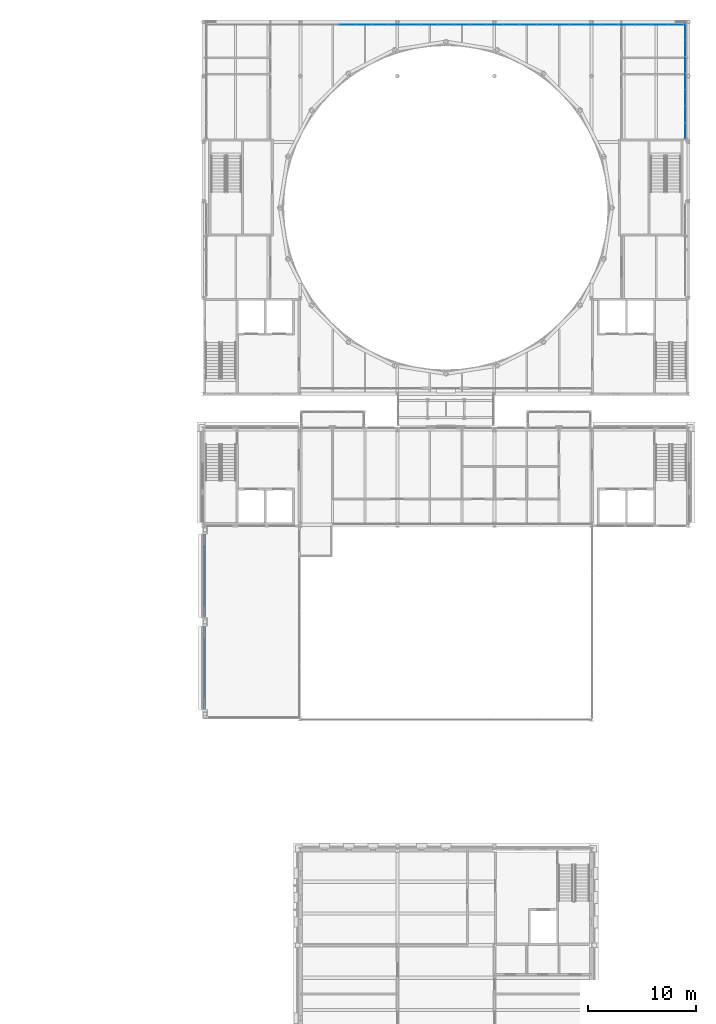
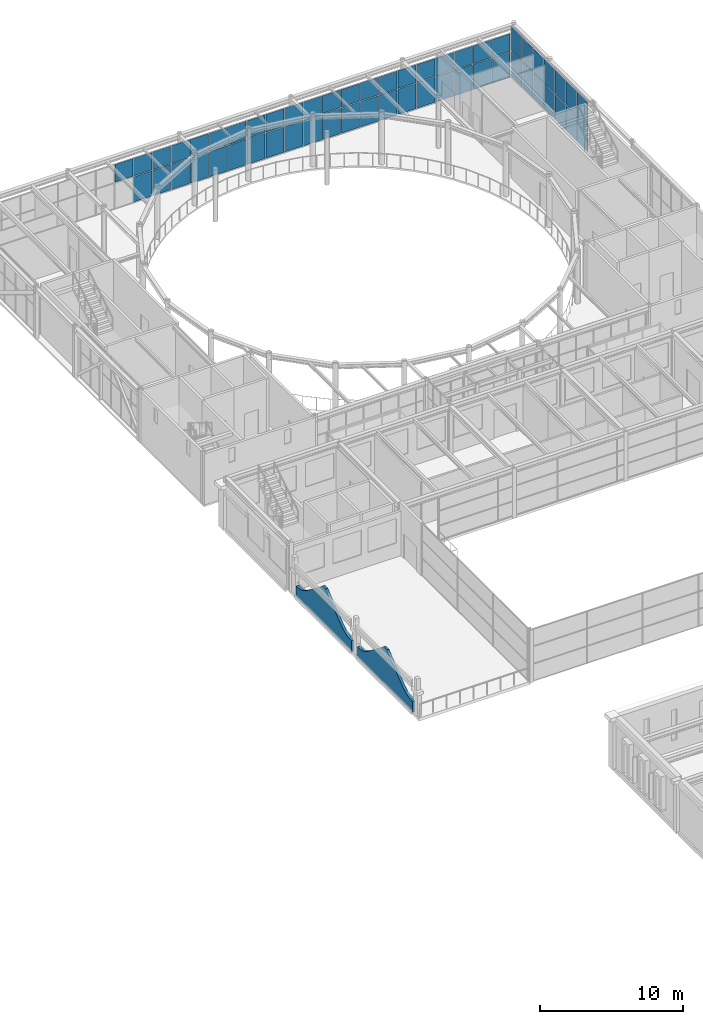
# One storey, part 48 of 70: 55 plates, 2 walls, 2 elements without a shape of their own.
"""IFC4 building model written with IfcOpenShell, lengths in metres."""

from ifc_helpers import new_model, si_unit, direction, frame, origin, origin_2d, place, context, subcontext, project, spatial, polyline, rectangle, outline, extrude, material, layer, layer_set, type_object, element, aggregate, save


model = new_model("IFC4")

# Units and contexts
model_context = context("Model", 3, precision=1e-05, world=origin(), true_north=direction((0.0, 1.0)))
body_context = subcontext(model_context, "Body", "Model", "MODEL_VIEW")
ifc_project = project(units=[si_unit("LENGTHUNIT", "METRE"), si_unit("AREAUNIT", "SQUARE_METRE"), si_unit("VOLUMEUNIT", "CUBIC_METRE"), si_unit("PLANEANGLEUNIT", "RADIAN"), si_unit("MASSUNIT", "GRAM", prefix="KILO")], contexts=[model_context])

# Site, building, storey
site_placement = place(None, origin())
site = spatial("IfcSite", under=ifc_project, at=site_placement, CompositionType="ELEMENT")
building_placement = place(site_placement, origin())
building = spatial("IfcBuilding", under=site, at=building_placement, Name="Kallimachos Central Library", CompositionType="ELEMENT")
storey_placement = place(building_placement, frame((0.0, 0.0, 18.89990234375)))
storey = spatial("IfcBuildingStorey", under=building, at=storey_placement, Name="L04", CompositionType="ELEMENT", Elevation=18.89990234375)

# Curtain wall, plates
ifc_material_1 = material(Name="Anodised aluminium and laminated glass", Category="aluminium")
ifc_layer_1 = layer(ifc_material_1, 0.159912109375)
ifc_layer_set_1 = layer_set([ifc_layer_1], Name="Glass box curtain wall")
curtain_wall_type = type_object("IfcCurtainWallType", Name="Glass box curtain wall", PredefinedType="NOTDEFINED", material=ifc_layer_set_1)
curtain_wall_1_placement = place(storey_placement, origin())
curtain_wall_1 = element("IfcCurtainWall", 1, at=curtain_wall_1_placement, inside=storey, type_object=curtain_wall_type, Name="Glass box curtain wall E L04", PredefinedType="NOTDEFINED")
ifc_material_2 = material(Name="Laminated glass", Category="glass")
ifc_layer_2 = layer(ifc_material_2, 0.028076171875)
ifc_layer_set_2 = layer_set([ifc_layer_2], Name="Laminated glass panel 28")
plate_type = type_object("IfcPlateType", Name="Laminated glass panel 28", PredefinedType="CURTAIN_PANEL", material=ifc_layer_set_2)
plate_1_placement = place(storey_placement, frame((110.199951171875, 111.532958984375, 0.06005859375), z_axis=(0.0, 0.0, 1.0), x_axis=(0.0, 1.0, 0.0)))
plate_1 = element("IfcPlate", 2, at=plate_1_placement, type_object=plate_type, Name="CW33 panel 1.1", PredefinedType="CURTAIN_PANEL", context=body_context, shape_type="SweptSolid", body=[
    extrude(rectangle(XDim=1.44580078125, YDim=0.028076171875, at=origin_2d()), origin(), (0.0, 0.0, 1.0), 2.159912109375),
])
plate_2_placement = place(storey_placement, frame((110.199951171875, 111.532958984375, 2.2802734375), z_axis=(0.0, 0.0, 1.0), x_axis=(0.0, 1.0, 0.0)))
plate_2 = element("IfcPlate", 3, at=plate_2_placement, type_object=plate_type, Name="CW33 panel 1.2", PredefinedType="CURTAIN_PANEL", context=body_context, shape_type="SweptSolid", body=[
    extrude(rectangle(XDim=1.44580078125, YDim=0.028076171875, at=origin_2d()), origin(), (0.0, 0.0, 1.0), 2.010009765625),
])
plate_3_placement = place(storey_placement, frame((110.199951171875, 113.053466796875, 0.06005859375), z_axis=(0.0, 0.0, 1.0), x_axis=(0.0, 1.0, 0.0)))
plate_3 = element("IfcPlate", 4, at=plate_3_placement, type_object=plate_type, Name="CW33 panel 2.1", PredefinedType="CURTAIN_PANEL", context=body_context, shape_type="SweptSolid", body=[
    extrude(rectangle(XDim=1.475830078125, YDim=0.028076171875, at=origin_2d()), origin(), (0.0, 0.0, 1.0), 2.159912109375),
])
plate_4_placement = place(storey_placement, frame((110.199951171875, 113.053466796875, 2.2802734375), z_axis=(0.0, 0.0, 1.0), x_axis=(0.0, 1.0, 0.0)))
plate_4 = element("IfcPlate", 5, at=plate_4_placement, type_object=plate_type, Name="CW33 panel 2.2", PredefinedType="CURTAIN_PANEL", context=body_context, shape_type="SweptSolid", body=[
    extrude(rectangle(XDim=1.475830078125, YDim=0.028076171875, at=origin_2d()), origin(), (0.0, 0.0, 1.0), 2.010009765625),
])
plate_5_placement = place(storey_placement, frame((110.199951171875, 114.58935546875, 0.06005859375), z_axis=(0.0, 0.0, 1.0), x_axis=(0.0, 1.0, 0.0)))
plate_5 = element("IfcPlate", 6, at=plate_5_placement, type_object=plate_type, Name="CW33 panel 3.1", PredefinedType="CURTAIN_PANEL", context=body_context, shape_type="SweptSolid", body=[
    extrude(rectangle(XDim=1.475830078125, YDim=0.028076171875, at=origin_2d()), origin(), (0.0, 0.0, 1.0), 2.159912109375),
])
plate_6_placement = place(storey_placement, frame((110.199951171875, 114.58935546875, 2.2802734375), z_axis=(0.0, 0.0, 1.0), x_axis=(0.0, 1.0, 0.0)))
plate_6 = element("IfcPlate", 7, at=plate_6_placement, type_object=plate_type, Name="CW33 panel 3.2", PredefinedType="CURTAIN_PANEL", context=body_context, shape_type="SweptSolid", body=[
    extrude(rectangle(XDim=1.475830078125, YDim=0.028076171875, at=origin_2d()), origin(), (0.0, 0.0, 1.0), 2.010009765625),
])
plate_7_placement = place(storey_placement, frame((110.199951171875, 116.125, 0.06005859375), z_axis=(0.0, 0.0, 1.0), x_axis=(0.0, 1.0, 0.0)))
plate_7 = element("IfcPlate", 8, at=plate_7_placement, type_object=plate_type, Name="CW33 panel 4.1", PredefinedType="CURTAIN_PANEL", context=body_context, shape_type="SweptSolid", body=[
    extrude(rectangle(XDim=1.475830078125, YDim=0.028076171875, at=origin_2d()), origin(), (0.0, 0.0, 1.0), 2.159912109375),
])
plate_8_placement = place(storey_placement, frame((110.199951171875, 116.125, 2.2802734375), z_axis=(0.0, 0.0, 1.0), x_axis=(0.0, 1.0, 0.0)))
plate_8 = element("IfcPlate", 9, at=plate_8_placement, type_object=plate_type, Name="CW33 panel 4.2", PredefinedType="CURTAIN_PANEL", context=body_context, shape_type="SweptSolid", body=[
    extrude(rectangle(XDim=1.475830078125, YDim=0.028076171875, at=origin_2d()), origin(), (0.0, 0.0, 1.0), 2.010009765625),
])
plate_9_placement = place(storey_placement, frame((110.199951171875, 117.66064453125, 0.06005859375), z_axis=(0.0, 0.0, 1.0), x_axis=(0.0, 1.0, 0.0)))
plate_9 = element("IfcPlate", 10, at=plate_9_placement, type_object=plate_type, Name="CW33 panel 5.1", PredefinedType="CURTAIN_PANEL", context=body_context, shape_type="SweptSolid", body=[
    extrude(rectangle(XDim=1.475830078125, YDim=0.028076171875, at=origin_2d()), origin(), (0.0, 0.0, 1.0), 2.159912109375),
])
plate_10_placement = place(storey_placement, frame((110.199951171875, 117.66064453125, 2.2802734375), z_axis=(0.0, 0.0, 1.0), x_axis=(0.0, 1.0, 0.0)))
plate_10 = element("IfcPlate", 11, at=plate_10_placement, type_object=plate_type, Name="CW33 panel 5.2", PredefinedType="CURTAIN_PANEL", context=body_context, shape_type="SweptSolid", body=[
    extrude(rectangle(XDim=1.475830078125, YDim=0.028076171875, at=origin_2d()), origin(), (0.0, 0.0, 1.0), 2.010009765625),
])
plate_11_placement = place(storey_placement, frame((110.199951171875, 119.196533203125, 0.06005859375), z_axis=(0.0, 0.0, 1.0), x_axis=(0.0, 1.0, 0.0)))
plate_11 = element("IfcPlate", 12, at=plate_11_placement, type_object=plate_type, Name="CW33 panel 6.1", PredefinedType="CURTAIN_PANEL", context=body_context, shape_type="SweptSolid", body=[
    extrude(rectangle(XDim=1.475830078125, YDim=0.028076171875, at=origin_2d()), origin(), (0.0, 0.0, 1.0), 2.159912109375),
])
plate_12_placement = place(storey_placement, frame((110.199951171875, 119.196533203125, 2.2802734375), z_axis=(0.0, 0.0, 1.0), x_axis=(0.0, 1.0, 0.0)))
plate_12 = element("IfcPlate", 13, at=plate_12_placement, type_object=plate_type, Name="CW33 panel 6.2", PredefinedType="CURTAIN_PANEL", context=body_context, shape_type="SweptSolid", body=[
    extrude(rectangle(XDim=1.475830078125, YDim=0.028076171875, at=origin_2d()), origin(), (0.0, 0.0, 1.0), 2.010009765625),
])
plate_13_placement = place(storey_placement, frame((110.199951171875, 120.717041015625, 0.06005859375), z_axis=(0.0, 0.0, 1.0), x_axis=(0.0, 1.0, 0.0)))
plate_13 = element("IfcPlate", 14, at=plate_13_placement, type_object=plate_type, Name="CW33 panel 7.1", PredefinedType="CURTAIN_PANEL", context=body_context, shape_type="SweptSolid", body=[
    extrude(rectangle(XDim=1.44580078125, YDim=0.028076171875, at=origin_2d()), origin(), (0.0, 0.0, 1.0), 2.159912109375),
])
plate_14_placement = place(storey_placement, frame((110.199951171875, 120.717041015625, 2.2802734375), z_axis=(0.0, 0.0, 1.0), x_axis=(0.0, 1.0, 0.0)))
plate_14 = element("IfcPlate", 15, at=plate_14_placement, type_object=plate_type, Name="CW33 panel 7.2", PredefinedType="CURTAIN_PANEL", context=body_context, shape_type="SweptSolid", body=[
    extrude(rectangle(XDim=1.44580078125, YDim=0.028076171875, at=origin_2d()), origin(), (0.0, 0.0, 1.0), 2.010009765625),
])
aggregate(curtain_wall_1, [plate_1, plate_2, plate_3, plate_4, plate_5, plate_6, plate_7, plate_8, plate_9, plate_10, plate_11, plate_12, plate_13, plate_14])

curtain_wall_2_placement = place(storey_placement, origin())
curtain_wall_2 = element("IfcCurtainWall", 16, at=curtain_wall_2_placement, inside=storey, type_object=curtain_wall_type, Name="Glass box curtain wall N L04", PredefinedType="NOTDEFINED")
plate_15_placement = place(storey_placement, frame((78.863525390625, 121.3798828125, 2.2802734375), z_axis=(0.0, 0.0, 1.0), x_axis=(1.0, 0.0, 0.0)))
plate_15 = element("IfcPlate", 17, at=plate_15_placement, type_object=plate_type, Name="CW34 panel 9.2", PredefinedType="CURTAIN_PANEL", context=body_context, shape_type="SweptSolid", body=[
    extrude(rectangle(XDim=1.462646484375, YDim=0.028076171875, at=origin_2d()), origin(), (0.0, 0.0, 1.0), 1.510009765625),
])
plate_16_placement = place(storey_placement, frame((80.38623046875, 121.3798828125, 0.06005859375), z_axis=(0.0, 0.0, 1.0), x_axis=(1.0, 0.0, 0.0)))
plate_16 = element("IfcPlate", 18, at=plate_16_placement, type_object=plate_type, Name="CW34 panel 10.1", PredefinedType="CURTAIN_PANEL", context=body_context, shape_type="SweptSolid", body=[
    extrude(rectangle(XDim=1.462646484375, YDim=0.028076171875, at=origin_2d()), origin(), (0.0, 0.0, 1.0), 2.159912109375),
])
plate_17_placement = place(storey_placement, frame((80.38623046875, 121.3798828125, 2.2802734375), z_axis=(0.0, 0.0, 1.0), x_axis=(1.0, 0.0, 0.0)))
plate_17 = element("IfcPlate", 19, at=plate_17_placement, type_object=plate_type, Name="CW34 panel 10.2", PredefinedType="CURTAIN_PANEL", context=body_context, shape_type="SweptSolid", body=[
    extrude(rectangle(XDim=1.462646484375, YDim=0.028076171875, at=origin_2d()), origin(), (0.0, 0.0, 1.0), 1.510009765625),
])
plate_18_placement = place(storey_placement, frame((81.908935546875, 121.3798828125, 0.06005859375), z_axis=(0.0, 0.0, 1.0), x_axis=(1.0, 0.0, 0.0)))
plate_18 = element("IfcPlate", 20, at=plate_18_placement, type_object=plate_type, Name="CW34 panel 11.1", PredefinedType="CURTAIN_PANEL", context=body_context, shape_type="SweptSolid", body=[
    extrude(rectangle(XDim=1.462646484375, YDim=0.028076171875, at=origin_2d()), origin(), (0.0, 0.0, 1.0), 2.159912109375),
])
plate_19_placement = place(storey_placement, frame((81.908935546875, 121.3798828125, 2.2802734375), z_axis=(0.0, 0.0, 1.0), x_axis=(1.0, 0.0, 0.0)))
plate_19 = element("IfcPlate", 21, at=plate_19_placement, type_object=plate_type, Name="CW34 panel 11.2", PredefinedType="CURTAIN_PANEL", context=body_context, shape_type="SweptSolid", body=[
    extrude(rectangle(XDim=1.462646484375, YDim=0.028076171875, at=origin_2d()), origin(), (0.0, 0.0, 1.0), 1.510009765625),
])
plate_20_placement = place(storey_placement, frame((83.431640625, 121.3798828125, 0.06005859375), z_axis=(0.0, 0.0, 1.0), x_axis=(1.0, 0.0, 0.0)))
plate_20 = element("IfcPlate", 22, at=plate_20_placement, type_object=plate_type, Name="CW34 panel 12.1", PredefinedType="CURTAIN_PANEL", context=body_context, shape_type="SweptSolid", body=[
    extrude(rectangle(XDim=1.462646484375, YDim=0.028076171875, at=origin_2d()), origin(), (0.0, 0.0, 1.0), 2.159912109375),
])
plate_21_placement = place(storey_placement, frame((83.431640625, 121.3798828125, 2.2802734375), z_axis=(0.0, 0.0, 1.0), x_axis=(1.0, 0.0, 0.0)))
plate_21 = element("IfcPlate", 23, at=plate_21_placement, type_object=plate_type, Name="CW34 panel 12.2", PredefinedType="CURTAIN_PANEL", context=body_context, shape_type="SweptSolid", body=[
    extrude(rectangle(XDim=1.462646484375, YDim=0.028076171875, at=origin_2d()), origin(), (0.0, 0.0, 1.0), 1.510009765625),
])
plate_22_placement = place(storey_placement, frame((84.95458984375, 121.3798828125, 0.06005859375), z_axis=(0.0, 0.0, 1.0), x_axis=(1.0, 0.0, 0.0)))
plate_22 = element("IfcPlate", 24, at=plate_22_placement, type_object=plate_type, Name="CW34 panel 13.1", PredefinedType="CURTAIN_PANEL", context=body_context, shape_type="SweptSolid", body=[
    extrude(rectangle(XDim=1.462646484375, YDim=0.028076171875, at=origin_2d()), origin(), (0.0, 0.0, 1.0), 2.159912109375),
])
plate_23_placement = place(storey_placement, frame((84.95458984375, 121.3798828125, 2.2802734375), z_axis=(0.0, 0.0, 1.0), x_axis=(1.0, 0.0, 0.0)))
plate_23 = element("IfcPlate", 25, at=plate_23_placement, type_object=plate_type, Name="CW34 panel 13.2", PredefinedType="CURTAIN_PANEL", context=body_context, shape_type="SweptSolid", body=[
    extrude(rectangle(XDim=1.462646484375, YDim=0.028076171875, at=origin_2d()), origin(), (0.0, 0.0, 1.0), 1.510009765625),
])
plate_24_placement = place(storey_placement, frame((86.477294921875, 121.3798828125, 0.06005859375), z_axis=(0.0, 0.0, 1.0), x_axis=(1.0, 0.0, 0.0)))
plate_24 = element("IfcPlate", 26, at=plate_24_placement, type_object=plate_type, Name="CW34 panel 14.1", PredefinedType="CURTAIN_PANEL", context=body_context, shape_type="SweptSolid", body=[
    extrude(rectangle(XDim=1.462646484375, YDim=0.028076171875, at=origin_2d()), origin(), (0.0, 0.0, 1.0), 2.159912109375),
])
plate_25_placement = place(storey_placement, frame((86.477294921875, 121.3798828125, 2.2802734375), z_axis=(0.0, 0.0, 1.0), x_axis=(1.0, 0.0, 0.0)))
plate_25 = element("IfcPlate", 27, at=plate_25_placement, type_object=plate_type, Name="CW34 panel 14.2", PredefinedType="CURTAIN_PANEL", context=body_context, shape_type="SweptSolid", body=[
    extrude(rectangle(XDim=1.462646484375, YDim=0.028076171875, at=origin_2d()), origin(), (0.0, 0.0, 1.0), 1.510009765625),
])
plate_26_placement = place(storey_placement, frame((88.0, 121.3798828125, 0.06005859375), z_axis=(0.0, 0.0, 1.0), x_axis=(1.0, 0.0, 0.0)))
plate_26 = element("IfcPlate", 28, at=plate_26_placement, type_object=plate_type, Name="CW34 panel 15.1", PredefinedType="CURTAIN_PANEL", context=body_context, shape_type="SweptSolid", body=[
    extrude(rectangle(XDim=1.462646484375, YDim=0.028076171875, at=origin_2d()), origin(), (0.0, 0.0, 1.0), 2.159912109375),
])
plate_27_placement = place(storey_placement, frame((88.0, 121.3798828125, 2.2802734375), z_axis=(0.0, 0.0, 1.0), x_axis=(1.0, 0.0, 0.0)))
plate_27 = element("IfcPlate", 29, at=plate_27_placement, type_object=plate_type, Name="CW34 panel 15.2", PredefinedType="CURTAIN_PANEL", context=body_context, shape_type="SweptSolid", body=[
    extrude(rectangle(XDim=1.462646484375, YDim=0.028076171875, at=origin_2d()), origin(), (0.0, 0.0, 1.0), 1.510009765625),
])
plate_28_placement = place(storey_placement, frame((89.522705078125, 121.3798828125, 0.06005859375), z_axis=(0.0, 0.0, 1.0), x_axis=(1.0, 0.0, 0.0)))
plate_28 = element("IfcPlate", 30, at=plate_28_placement, type_object=plate_type, Name="CW34 panel 16.1", PredefinedType="CURTAIN_PANEL", context=body_context, shape_type="SweptSolid", body=[
    extrude(rectangle(XDim=1.462646484375, YDim=0.028076171875, at=origin_2d()), origin(), (0.0, 0.0, 1.0), 2.159912109375),
])
plate_29_placement = place(storey_placement, frame((89.522705078125, 121.3798828125, 2.2802734375), z_axis=(0.0, 0.0, 1.0), x_axis=(1.0, 0.0, 0.0)))
plate_29 = element("IfcPlate", 31, at=plate_29_placement, type_object=plate_type, Name="CW34 panel 16.2", PredefinedType="CURTAIN_PANEL", context=body_context, shape_type="SweptSolid", body=[
    extrude(rectangle(XDim=1.462646484375, YDim=0.028076171875, at=origin_2d()), origin(), (0.0, 0.0, 1.0), 1.510009765625),
])
plate_30_placement = place(storey_placement, frame((91.04541015625, 121.3798828125, 0.06005859375), z_axis=(0.0, 0.0, 1.0), x_axis=(1.0, 0.0, 0.0)))
plate_30 = element("IfcPlate", 32, at=plate_30_placement, type_object=plate_type, Name="CW34 panel 17.1", PredefinedType="CURTAIN_PANEL", context=body_context, shape_type="SweptSolid", body=[
    extrude(rectangle(XDim=1.462646484375, YDim=0.028076171875, at=origin_2d()), origin(), (0.0, 0.0, 1.0), 2.159912109375),
])
plate_31_placement = place(storey_placement, frame((91.04541015625, 121.3798828125, 2.2802734375), z_axis=(0.0, 0.0, 1.0), x_axis=(1.0, 0.0, 0.0)))
plate_31 = element("IfcPlate", 33, at=plate_31_placement, type_object=plate_type, Name="CW34 panel 17.2", PredefinedType="CURTAIN_PANEL", context=body_context, shape_type="SweptSolid", body=[
    extrude(rectangle(XDim=1.462646484375, YDim=0.028076171875, at=origin_2d()), origin(), (0.0, 0.0, 1.0), 1.510009765625),
])
plate_32_placement = place(storey_placement, frame((92.568359375, 121.3798828125, 0.06005859375), z_axis=(0.0, 0.0, 1.0), x_axis=(1.0, 0.0, 0.0)))
plate_32 = element("IfcPlate", 34, at=plate_32_placement, type_object=plate_type, Name="CW34 panel 18.1", PredefinedType="CURTAIN_PANEL", context=body_context, shape_type="SweptSolid", body=[
    extrude(rectangle(XDim=1.462646484375, YDim=0.028076171875, at=origin_2d()), origin(), (0.0, 0.0, 1.0), 2.159912109375),
])
plate_33_placement = place(storey_placement, frame((92.568359375, 121.3798828125, 2.2802734375), z_axis=(0.0, 0.0, 1.0), x_axis=(1.0, 0.0, 0.0)))
plate_33 = element("IfcPlate", 35, at=plate_33_placement, type_object=plate_type, Name="CW34 panel 18.2", PredefinedType="CURTAIN_PANEL", context=body_context, shape_type="SweptSolid", body=[
    extrude(rectangle(XDim=1.462646484375, YDim=0.028076171875, at=origin_2d()), origin(), (0.0, 0.0, 1.0), 1.510009765625),
])
plate_34_placement = place(storey_placement, frame((94.091064453125, 121.3798828125, 0.06005859375), z_axis=(0.0, 0.0, 1.0), x_axis=(1.0, 0.0, 0.0)))
plate_34 = element("IfcPlate", 36, at=plate_34_placement, type_object=plate_type, Name="CW34 panel 19.1", PredefinedType="CURTAIN_PANEL", context=body_context, shape_type="SweptSolid", body=[
    extrude(rectangle(XDim=1.462646484375, YDim=0.028076171875, at=origin_2d()), origin(), (0.0, 0.0, 1.0), 2.159912109375),
])
plate_35_placement = place(storey_placement, frame((94.091064453125, 121.3798828125, 2.2802734375), z_axis=(0.0, 0.0, 1.0), x_axis=(1.0, 0.0, 0.0)))
plate_35 = element("IfcPlate", 37, at=plate_35_placement, type_object=plate_type, Name="CW34 panel 19.2", PredefinedType="CURTAIN_PANEL", context=body_context, shape_type="SweptSolid", body=[
    extrude(rectangle(XDim=1.462646484375, YDim=0.028076171875, at=origin_2d()), origin(), (0.0, 0.0, 1.0), 1.510009765625),
])
plate_36_placement = place(storey_placement, frame((95.61376953125, 121.3798828125, 0.06005859375), z_axis=(0.0, 0.0, 1.0), x_axis=(1.0, 0.0, 0.0)))
plate_36 = element("IfcPlate", 38, at=plate_36_placement, type_object=plate_type, Name="CW34 panel 20.1", PredefinedType="CURTAIN_PANEL", context=body_context, shape_type="SweptSolid", body=[
    extrude(rectangle(XDim=1.462646484375, YDim=0.028076171875, at=origin_2d()), origin(), (0.0, 0.0, 1.0), 2.159912109375),
])
plate_37_placement = place(storey_placement, frame((95.61376953125, 121.3798828125, 2.2802734375), z_axis=(0.0, 0.0, 1.0), x_axis=(1.0, 0.0, 0.0)))
plate_37 = element("IfcPlate", 39, at=plate_37_placement, type_object=plate_type, Name="CW34 panel 20.2", PredefinedType="CURTAIN_PANEL", context=body_context, shape_type="SweptSolid", body=[
    extrude(rectangle(XDim=1.462646484375, YDim=0.028076171875, at=origin_2d()), origin(), (0.0, 0.0, 1.0), 1.510009765625),
])
plate_38_placement = place(storey_placement, frame((97.136474609375, 121.3798828125, 0.06005859375), z_axis=(0.0, 0.0, 1.0), x_axis=(1.0, 0.0, 0.0)))
plate_38 = element("IfcPlate", 40, at=plate_38_placement, type_object=plate_type, Name="CW34 panel 21.1", PredefinedType="CURTAIN_PANEL", context=body_context, shape_type="SweptSolid", body=[
    extrude(rectangle(XDim=1.462646484375, YDim=0.028076171875, at=origin_2d()), origin(), (0.0, 0.0, 1.0), 2.159912109375),
])
plate_39_placement = place(storey_placement, frame((97.136474609375, 121.3798828125, 2.2802734375), z_axis=(0.0, 0.0, 1.0), x_axis=(1.0, 0.0, 0.0)))
plate_39 = element("IfcPlate", 41, at=plate_39_placement, type_object=plate_type, Name="CW34 panel 21.2", PredefinedType="CURTAIN_PANEL", context=body_context, shape_type="SweptSolid", body=[
    extrude(rectangle(XDim=1.462646484375, YDim=0.028076171875, at=origin_2d()), origin(), (0.0, 0.0, 1.0), 1.510009765625),
])
plate_40_placement = place(storey_placement, frame((98.659423828125, 121.3798828125, 0.06005859375), z_axis=(0.0, 0.0, 1.0), x_axis=(1.0, 0.0, 0.0)))
plate_40 = element("IfcPlate", 42, at=plate_40_placement, type_object=plate_type, Name="CW34 panel 22.1", PredefinedType="CURTAIN_PANEL", context=body_context, shape_type="SweptSolid", body=[
    extrude(rectangle(XDim=1.462646484375, YDim=0.028076171875, at=origin_2d()), origin(), (0.0, 0.0, 1.0), 2.159912109375),
])
plate_41_placement = place(storey_placement, frame((98.659423828125, 121.3798828125, 2.2802734375), z_axis=(0.0, 0.0, 1.0), x_axis=(1.0, 0.0, 0.0)))
plate_41 = element("IfcPlate", 43, at=plate_41_placement, type_object=plate_type, Name="CW34 panel 22.2", PredefinedType="CURTAIN_PANEL", context=body_context, shape_type="SweptSolid", body=[
    extrude(rectangle(XDim=1.462646484375, YDim=0.028076171875, at=origin_2d()), origin(), (0.0, 0.0, 1.0), 1.510009765625),
])
plate_42_placement = place(storey_placement, frame((100.18212890625, 121.3798828125, 0.06005859375), z_axis=(0.0, 0.0, 1.0), x_axis=(1.0, 0.0, 0.0)))
plate_42 = element("IfcPlate", 44, at=plate_42_placement, type_object=plate_type, Name="CW34 panel 23.1", PredefinedType="CURTAIN_PANEL", context=body_context, shape_type="SweptSolid", body=[
    extrude(rectangle(XDim=1.462646484375, YDim=0.028076171875, at=origin_2d()), origin(), (0.0, 0.0, 1.0), 2.159912109375),
])
plate_43_placement = place(storey_placement, frame((100.18212890625, 121.3798828125, 2.2802734375), z_axis=(0.0, 0.0, 1.0), x_axis=(1.0, 0.0, 0.0)))
plate_43 = element("IfcPlate", 45, at=plate_43_placement, type_object=plate_type, Name="CW34 panel 23.2", PredefinedType="CURTAIN_PANEL", context=body_context, shape_type="SweptSolid", body=[
    extrude(rectangle(XDim=1.462646484375, YDim=0.028076171875, at=origin_2d()), origin(), (0.0, 0.0, 1.0), 1.510009765625),
])
plate_44_placement = place(storey_placement, frame((101.704833984375, 121.3798828125, 0.06005859375), z_axis=(0.0, 0.0, 1.0), x_axis=(1.0, 0.0, 0.0)))
plate_44 = element("IfcPlate", 46, at=plate_44_placement, type_object=plate_type, Name="CW34 panel 24.1", PredefinedType="CURTAIN_PANEL", context=body_context, shape_type="SweptSolid", body=[
    extrude(rectangle(XDim=1.462646484375, YDim=0.028076171875, at=origin_2d()), origin(), (0.0, 0.0, 1.0), 2.159912109375),
])
plate_45_placement = place(storey_placement, frame((101.704833984375, 121.3798828125, 2.2802734375), z_axis=(0.0, 0.0, 1.0), x_axis=(1.0, 0.0, 0.0)))
plate_45 = element("IfcPlate", 47, at=plate_45_placement, type_object=plate_type, Name="CW34 panel 24.2", PredefinedType="CURTAIN_PANEL", context=body_context, shape_type="SweptSolid", body=[
    extrude(rectangle(XDim=1.462646484375, YDim=0.028076171875, at=origin_2d()), origin(), (0.0, 0.0, 1.0), 1.510009765625),
])
plate_46_placement = place(storey_placement, frame((103.2275390625, 121.3798828125, 0.06005859375), z_axis=(0.0, 0.0, 1.0), x_axis=(1.0, 0.0, 0.0)))
plate_46 = element("IfcPlate", 48, at=plate_46_placement, type_object=plate_type, Name="CW34 panel 25.1", PredefinedType="CURTAIN_PANEL", context=body_context, shape_type="SweptSolid", body=[
    extrude(rectangle(XDim=1.462646484375, YDim=0.028076171875, at=origin_2d()), origin(), (0.0, 0.0, 1.0), 2.159912109375),
])
plate_47_placement = place(storey_placement, frame((103.2275390625, 121.3798828125, 2.2802734375), z_axis=(0.0, 0.0, 1.0), x_axis=(1.0, 0.0, 0.0)))
plate_47 = element("IfcPlate", 49, at=plate_47_placement, type_object=plate_type, Name="CW34 panel 25.2", PredefinedType="CURTAIN_PANEL", context=body_context, shape_type="SweptSolid", body=[
    extrude(rectangle(XDim=1.462646484375, YDim=0.028076171875, at=origin_2d()), origin(), (0.0, 0.0, 1.0), 1.510009765625),
])
plate_48_placement = place(storey_placement, frame((104.750244140625, 121.3798828125, 0.06005859375), z_axis=(0.0, 0.0, 1.0), x_axis=(1.0, 0.0, 0.0)))
plate_48 = element("IfcPlate", 50, at=plate_48_placement, type_object=plate_type, Name="CW34 panel 26.1", PredefinedType="CURTAIN_PANEL", context=body_context, shape_type="SweptSolid", body=[
    extrude(rectangle(XDim=1.462646484375, YDim=0.028076171875, at=origin_2d()), origin(), (0.0, 0.0, 1.0), 2.159912109375),
])
plate_49_placement = place(storey_placement, frame((104.750244140625, 121.3798828125, 2.2802734375), z_axis=(0.0, 0.0, 1.0), x_axis=(1.0, 0.0, 0.0)))
plate_49 = element("IfcPlate", 51, at=plate_49_placement, type_object=plate_type, Name="CW34 panel 26.2", PredefinedType="CURTAIN_PANEL", context=body_context, shape_type="SweptSolid", body=[
    extrude(rectangle(XDim=1.462646484375, YDim=0.028076171875, at=origin_2d()), origin(), (0.0, 0.0, 1.0), 1.510009765625),
])
plate_50_placement = place(storey_placement, frame((106.273193359375, 121.3798828125, 0.06005859375), z_axis=(0.0, 0.0, 1.0), x_axis=(1.0, 0.0, 0.0)))
plate_50 = element("IfcPlate", 52, at=plate_50_placement, type_object=plate_type, Name="CW34 panel 27.1", PredefinedType="CURTAIN_PANEL", context=body_context, shape_type="SweptSolid", body=[
    extrude(rectangle(XDim=1.462646484375, YDim=0.028076171875, at=origin_2d()), origin(), (0.0, 0.0, 1.0), 2.159912109375),
])
plate_51_placement = place(storey_placement, frame((106.273193359375, 121.3798828125, 2.2802734375), z_axis=(0.0, 0.0, 1.0), x_axis=(1.0, 0.0, 0.0)))
plate_51 = element("IfcPlate", 53, at=plate_51_placement, type_object=plate_type, Name="CW34 panel 27.2", PredefinedType="CURTAIN_PANEL", context=body_context, shape_type="SweptSolid", body=[
    extrude(rectangle(XDim=1.462646484375, YDim=0.028076171875, at=origin_2d()), origin(), (0.0, 0.0, 1.0), 1.510009765625),
])
plate_52_placement = place(storey_placement, frame((107.7958984375, 121.3798828125, 0.06005859375), z_axis=(0.0, 0.0, 1.0), x_axis=(1.0, 0.0, 0.0)))
plate_52 = element("IfcPlate", 54, at=plate_52_placement, type_object=plate_type, Name="CW34 panel 28.1", PredefinedType="CURTAIN_PANEL", context=body_context, shape_type="SweptSolid", body=[
    extrude(rectangle(XDim=1.462646484375, YDim=0.028076171875, at=origin_2d()), origin(), (0.0, 0.0, 1.0), 2.159912109375),
])
plate_53_placement = place(storey_placement, frame((107.7958984375, 121.3798828125, 2.2802734375), z_axis=(0.0, 0.0, 1.0), x_axis=(1.0, 0.0, 0.0)))
plate_53 = element("IfcPlate", 55, at=plate_53_placement, type_object=plate_type, Name="CW34 panel 28.2", PredefinedType="CURTAIN_PANEL", context=body_context, shape_type="SweptSolid", body=[
    extrude(rectangle(XDim=1.462646484375, YDim=0.028076171875, at=origin_2d()), origin(), (0.0, 0.0, 1.0), 1.510009765625),
])
plate_54_placement = place(storey_placement, frame((109.3037109375, 121.3798828125, 0.06005859375), z_axis=(0.0, 0.0, 1.0), x_axis=(1.0, 0.0, 0.0)))
plate_54 = element("IfcPlate", 56, at=plate_54_placement, type_object=plate_type, Name="CW34 panel 29.1", PredefinedType="CURTAIN_PANEL", context=body_context, shape_type="SweptSolid", body=[
    extrude(rectangle(XDim=1.432861328125, YDim=0.028076171875, at=origin_2d()), origin(), (0.0, 0.0, 1.0), 2.159912109375),
])
plate_55_placement = place(storey_placement, frame((109.3037109375, 121.3798828125, 2.2802734375), z_axis=(0.0, 0.0, 1.0), x_axis=(1.0, 0.0, 0.0)))
plate_55 = element("IfcPlate", 57, at=plate_55_placement, type_object=plate_type, Name="CW34 panel 29.2", PredefinedType="CURTAIN_PANEL", context=body_context, shape_type="SweptSolid", body=[
    extrude(rectangle(XDim=1.432861328125, YDim=0.028076171875, at=origin_2d()), origin(), (0.0, 0.0, 1.0), 1.510009765625),
])
aggregate(curtain_wall_2, [plate_15, plate_16, plate_17, plate_18, plate_19, plate_20, plate_21, plate_22, plate_23, plate_24, plate_25, plate_26, plate_27, plate_28, plate_29, plate_30, plate_31, plate_32, plate_33, plate_34, plate_35, plate_36, plate_37, plate_38, plate_39, plate_40, plate_41, plate_42, plate_43, plate_44, plate_45, plate_46, plate_47, plate_48, plate_49, plate_50, plate_51, plate_52, plate_53, plate_54, plate_55])

# Walls
ifc_material_3 = material(Name="Pentelic marble cladding on reinforced concrete C30/37", Category="masonry")
ifc_layer_3 = layer(ifc_material_3, 0.199951171875)
ifc_layer_set_3 = layer_set([ifc_layer_3], Name="Stone crown wall 200")
wall_type = type_object("IfcWallType", Name="Stone crown wall 200", PredefinedType="PARAPET", material=ifc_layer_set_3)
for number, where, z_axis, x_axis, name in (
    (58, (65.60009765625, 57.85009765625, 0.0), (0.0, 0.0, 1.0), (0.0, 1.0, 0.0), "West wing roof edge crown 1"),
    (59, (65.60009765625, 66.39990234375, 0.0), (0.0, 0.0, 1.0), (0.0, 1.0, 0.0), "West wing roof edge crown 2"),
):
    element("IfcWall", number, at=place(storey_placement, frame(where, z_axis=z_axis, x_axis=x_axis)), inside=storey, type_object=wall_type, Name=name, PredefinedType="PARAPET", context=body_context, shape_type="SweptSolid", body=[
        extrude(outline(polyline([(0.0, 0.0), (7.75, 0.0), (7.75, 0.900146484375), (7.294189453125, 0.90966796875), (6.838134765625, 1.048095703125), (6.38232421875, 1.313232421875), (5.926513671875, 1.656005859375), (5.470703125, 2.02783203125), (5.0146484375, 2.380615234375), (4.558837890625, 2.70263671875), (4.102783203125, 3.102294921875), (3.647216796875, 3.102294921875), (3.191162109375, 2.70263671875), (2.7353515625, 2.380615234375), (2.279296875, 2.02783203125), (1.823486328125, 1.656005859375), (1.36767578125, 1.313232421875), (0.911865234375, 1.048095703125), (0.455810546875, 0.90966796875), (0.0, 0.900146484375), (0.0, 0.0)])), frame((0.0, 0.10009765625, 0.0), z_axis=(0.0, -1.0, 0.0), x_axis=(1.0, 0.0, 0.0)), (0.0, 0.0, 1.0), 0.199951171875),
    ])

save(model, "model.ifc")
